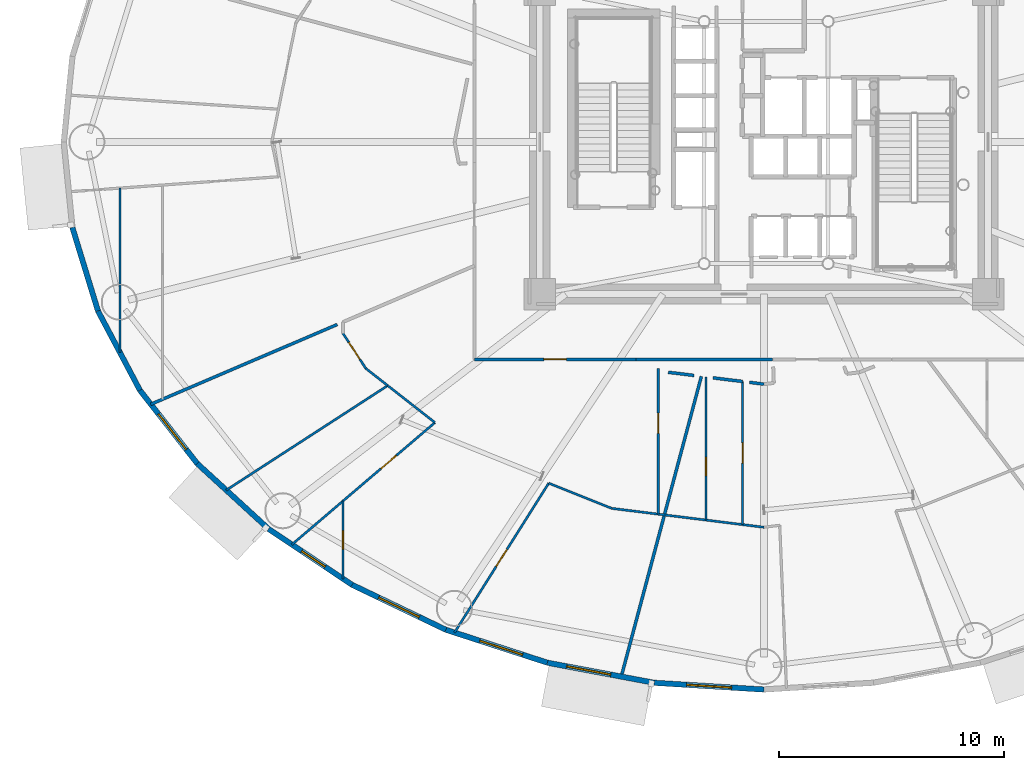
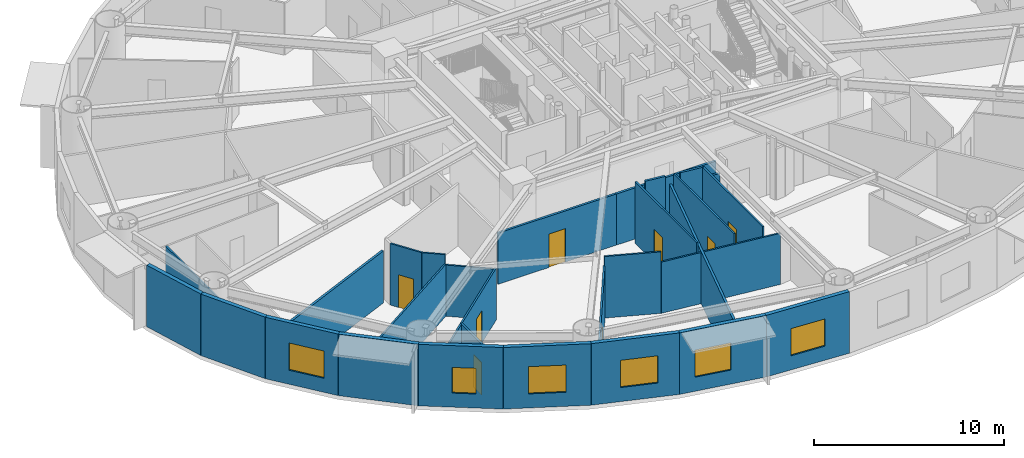
# One storey, part 10 of 24: 29 walls, 8 doors, 6 windows, 14 openings.
"""IFC4 building model written with IfcOpenShell, lengths in metres."""

from ifc_helpers import new_model, si_unit, direction, frame, frame_2d, origin, origin_2d, place, context, subcontext, project, spatial, rectangle, extrude, source, transform, mapped, material, layer, layer_set, type_object, element, fill, save


model = new_model("IFC4")

# Units and contexts
model_context = context("Model", 3, precision=1e-05, world=origin(), true_north=direction((0.0, 1.0)))
body_context = subcontext(model_context, "Body", "Model", "MODEL_VIEW")
ifc_project = project(units=[si_unit("LENGTHUNIT", "METRE"), si_unit("AREAUNIT", "SQUARE_METRE"), si_unit("VOLUMEUNIT", "CUBIC_METRE"), si_unit("PLANEANGLEUNIT", "RADIAN"), si_unit("MASSUNIT", "GRAM", prefix="KILO")], contexts=[model_context])

# Site, building, storey
site_placement = place(None, origin())
site = spatial("IfcSite", under=ifc_project, at=site_placement, CompositionType="ELEMENT")
building_placement = place(site_placement, origin())
building = spatial("IfcBuilding", under=site, at=building_placement, Name="Linh Dai School and Residence Tower", CompositionType="ELEMENT")
storey_placement = place(building_placement, frame((0.0, 0.0, 74.39990234375)))
storey = spatial("IfcBuildingStorey", under=building, at=storey_placement, Name="L17", CompositionType="ELEMENT", Elevation=74.39990234375)

# Walls
ifc_material_1 = material(Name="Precast Concrete B45 (C35/45)", Category="concrete")
ifc_layer_1 = layer(ifc_material_1, 0.239990234375)
ifc_layer_set_1 = layer_set([ifc_layer_1], Name="Precast Concrete B45 (C35/45)")
wall_type_1 = type_object("IfcWallType", Name="EW-TC-240", PredefinedType="SOLIDWALL", material=ifc_layer_set_1)
wall_1_placement = place(storey_placement, frame((6.4423828125, 19.49853515625, 0.0), z_axis=(0.0, 0.0, 1.0), x_axis=(-0.293111631758, 0.956078224482, 0.0)))
element("IfcWall", 1, at=wall_1_placement, inside=storey, type_object=wall_type_1, Name="L17 Terracotta Exterior Wall 22", PredefinedType="SOLIDWALL", context=body_context, shape_type="SweptSolid", body=[
    extrude(rectangle(XDim=3.874755859375, YDim=0.239990234375, at=frame_2d((1.9375, 0.0))), origin(), (0.0, 0.0, 1.0), 3.9501953125),
])
wall_2_placement = place(storey_placement, frame((8.305419921875, 15.977294921875, 0.0), z_axis=(0.0, 0.0, 1.0), x_axis=(-0.467662443071, 0.883907144072, 0.0)))
element("IfcWall", 2, at=wall_2_placement, inside=storey, type_object=wall_type_1, Name="L17 Terracotta Exterior Wall 23", PredefinedType="SOLIDWALL", context=body_context, shape_type="SweptSolid", body=[
    extrude(rectangle(XDim=3.983642578125, YDim=0.239990234375, at=frame_2d((1.99169921875, 0.0))), origin(), (0.0, 0.0, 1.0), 3.9501953125),
])

# Wall, opening, window
wall_3_placement = place(storey_placement, frame((10.850341796875, 12.725341796875, 0.0), z_axis=(0.0, 0.0, 1.0), x_axis=(-0.616295508253, 0.787514981767, 0.0)))
wall_3 = element("IfcWall", 3, at=wall_3_placement, inside=storey, type_object=wall_type_1, Name="L17 Terracotta Exterior Wall 24", PredefinedType="SOLIDWALL", context=body_context, shape_type="SweptSolid", body=[
    extrude(rectangle(XDim=4.12939453125, YDim=0.239990234375, at=frame_2d((2.064697265625, 0.0))), origin(), (0.0, 0.0, 1.0), 3.9501953125),
])
opening_1_placement = place(wall_3_placement, frame((0.794677734375, 0.0, 0.89990234375)))
opening_1 = element("IfcOpeningElement", 4, at=opening_1_placement, cuts=wall_3, Name="Opening W1", PredefinedType="OPENING", context=body_context, shape_type="SweptSolid", body=[
    extrude(rectangle(XDim=2.0, YDim=1.75, at=origin_2d()), frame((1.0, 0.1298828125, 0.875), z_axis=(0.0, -1.0, 0.0), x_axis=(1.0, 0.0, 0.0)), (0.0, 0.0, 1.0), 0.260009765625),
])
ifc_material_2 = material(Name="Double Low-E Insulated Glazing", Category="glass")
window_type_1 = type_object("IfcWindowType", Name="WN-RES-2000x1750", PartitioningType="DOUBLE_PANEL_VERTICAL", PredefinedType="WINDOW", material=ifc_material_2)
shared_shape_1 = source(origin(), body_context, "Body", "SweptSolid", [
    extrude(rectangle(XDim=2.0, YDim=1.75, at=origin_2d()), frame((1.0, 0.030029296875, 0.875), z_axis=(0.0, -1.0, 0.0), x_axis=(1.0, 0.0, 0.0)), (0.0, 0.0, 1.0), 0.06005859375),
])
window_1_placement = place(opening_1_placement, origin())
window_1 = element("IfcWindow", 5, at=window_1_placement, inside=storey, type_object=window_type_1, Name="L17 Exterior Window 24.1", OverallHeight=1.75, OverallWidth=2.0, PartitioningType="DOUBLE_PANEL_VERTICAL", PredefinedType="WINDOW", context=body_context, shape_type="MappedRepresentation", body=[
    mapped(shared_shape_1, transform((0.0, 0.0, 0.0), x_axis=(1.0, 0.0, 0.0), y_axis=(0.0, 1.0, 0.0), z_axis=(0.0, 0.0, 1.0), scale=1.0)),
])
fill(opening_1, window_1)

# Wall
wall_4_placement = place(storey_placement, frame((14.015380859375, 9.82373046875, 0.0), z_axis=(0.0, 0.0, 1.0), x_axis=(-0.737116376281, 0.67576582321, 0.0)))
element("IfcWall", 6, at=wall_4_placement, inside=storey, type_object=wall_type_1, Name="L17 Terracotta Exterior Wall 25", PredefinedType="SOLIDWALL", context=body_context, shape_type="SweptSolid", body=[
    extrude(rectangle(XDim=4.293701171875, YDim=0.239990234375, at=frame_2d((2.14697265625, 0.0))), origin(), (0.0, 0.0, 1.0), 3.9501953125),
])

# Wall, opening, window
wall_5_placement = place(storey_placement, frame((17.722900390625, 7.34423828125, 0.0), z_axis=(0.0, 0.0, 1.0), x_axis=(-0.831240982525, 0.555912249343, 0.0)))
wall_5 = element("IfcWall", 7, at=wall_5_placement, inside=storey, type_object=wall_type_1, Name="L17 Terracotta Exterior Wall 26", PredefinedType="SOLIDWALL", context=body_context, shape_type="SweptSolid", body=[
    extrude(rectangle(XDim=4.460205078125, YDim=0.239990234375, at=frame_2d((2.22998046875, 0.0))), origin(), (0.0, 0.0, 1.0), 3.9501953125),
])
opening_2_placement = place(wall_5_placement, frame((1.438720703125, 0.0, 0.89990234375)))
opening_2 = element("IfcOpeningElement", 8, at=opening_2_placement, cuts=wall_5, Name="Opening W3", PredefinedType="OPENING", context=body_context, shape_type="SweptSolid", body=[
    extrude(rectangle(XDim=1.25, YDim=1.64990234375, at=origin_2d()), frame((0.625, 0.1298828125, 0.824951171875), z_axis=(0.0, -1.0, 0.0), x_axis=(1.0, 0.0, 0.0)), (0.0, 0.0, 1.0), 0.260009765625),
])
window_type_2 = type_object("IfcWindowType", Name="WN-RES-1250x1650", PartitioningType="SINGLE_PANEL", PredefinedType="WINDOW", material=ifc_material_2)
shared_shape_2 = source(origin(), body_context, "Body", "SweptSolid", [
    extrude(rectangle(XDim=1.25, YDim=1.64990234375, at=origin_2d()), frame((0.625, 0.030029296875, 0.824951171875), z_axis=(0.0, -1.0, 0.0), x_axis=(1.0, 0.0, 0.0)), (0.0, 0.0, 1.0), 0.06005859375),
])
window_2_placement = place(opening_2_placement, origin())
window_2 = element("IfcWindow", 9, at=window_2_placement, inside=storey, type_object=window_type_2, Name="L17 Exterior Window 26.1", OverallHeight=1.64990234375, OverallWidth=1.25, PartitioningType="SINGLE_PANEL", PredefinedType="WINDOW", context=body_context, shape_type="MappedRepresentation", body=[
    mapped(shared_shape_2, transform((0.0, 0.0, 0.0), x_axis=(1.0, 0.0, 0.0), y_axis=(0.0, 1.0, 0.0), z_axis=(0.0, 0.0, 1.0), scale=1.0)),
])
fill(opening_2, window_2)

wall_6_placement = place(storey_placement, frame((21.8818359375, 5.348876953125, 0.0), z_axis=(0.0, 0.0, 1.0), x_axis=(-0.901601503137, 0.432567601123, 0.0)))
wall_6 = element("IfcWall", 10, at=wall_6_placement, inside=storey, type_object=wall_type_1, Name="L17 Terracotta Exterior Wall 27", PredefinedType="SOLIDWALL", context=body_context, shape_type="SweptSolid", body=[
    extrude(rectangle(XDim=4.61279296875, YDim=0.239990234375, at=frame_2d((2.306396484375, 0.0))), origin(), (0.0, 0.0, 1.0), 3.9501953125),
])
opening_3_placement = place(wall_6_placement, frame((1.306396484375, 0.0, 0.89990234375)))
opening_3 = element("IfcOpeningElement", 11, at=opening_3_placement, cuts=wall_6, Name="Opening W1", PredefinedType="OPENING", context=body_context, shape_type="SweptSolid", body=[
    extrude(rectangle(XDim=2.0, YDim=1.75, at=origin_2d()), frame((1.0, 0.1298828125, 0.875), z_axis=(0.0, -1.0, 0.0), x_axis=(1.0, 0.0, 0.0)), (0.0, 0.0, 1.0), 0.260009765625),
])
window_3_placement = place(opening_3_placement, origin())
window_3 = element("IfcWindow", 12, at=window_3_placement, inside=storey, type_object=window_type_1, Name="L17 Exterior Window 27.1", OverallHeight=1.75, OverallWidth=2.0, PartitioningType="DOUBLE_PANEL_VERTICAL", PredefinedType="WINDOW", context=body_context, shape_type="MappedRepresentation", body=[
    mapped(shared_shape_1, transform((0.0, 0.0, 0.0), x_axis=(1.0, 0.0, 0.0), y_axis=(0.0, 1.0, 0.0), z_axis=(0.0, 0.0, 1.0), scale=1.0)),
])
fill(opening_3, window_3)

wall_7_placement = place(storey_placement, frame((26.389404296875, 3.88671875, 0.0), z_axis=(0.0, 0.0, 1.0), x_axis=(-0.951207699013, 0.308551313946, 0.0)))
wall_7 = element("IfcWall", 13, at=wall_7_placement, inside=storey, type_object=wall_type_1, Name="L17 Terracotta Exterior Wall 28", PredefinedType="SOLIDWALL", context=body_context, shape_type="SweptSolid", body=[
    extrude(rectangle(XDim=4.73876953125, YDim=0.239990234375, at=frame_2d((2.369384765625, 0.0))), origin(), (0.0, 0.0, 1.0), 3.9501953125),
])
opening_4_placement = place(wall_7_placement, frame((1.154541015625, 0.0, 0.89990234375)))
opening_4 = element("IfcOpeningElement", 14, at=opening_4_placement, cuts=wall_7, Name="Opening W1", PredefinedType="OPENING", context=body_context, shape_type="SweptSolid", body=[
    extrude(rectangle(XDim=2.0, YDim=1.75, at=origin_2d()), frame((1.0, 0.1298828125, 0.875), z_axis=(0.0, -1.0, 0.0), x_axis=(1.0, 0.0, 0.0)), (0.0, 0.0, 1.0), 0.260009765625),
])
window_4_placement = place(opening_4_placement, origin())
window_4 = element("IfcWindow", 15, at=window_4_placement, inside=storey, type_object=window_type_1, Name="L17 Exterior Window 28.1", OverallHeight=1.75, OverallWidth=2.0, PartitioningType="DOUBLE_PANEL_VERTICAL", PredefinedType="WINDOW", context=body_context, shape_type="MappedRepresentation", body=[
    mapped(shared_shape_1, transform((0.0, 0.0, 0.0), x_axis=(1.0, 0.0, 0.0), y_axis=(0.0, 1.0, 0.0), z_axis=(0.0, 0.0, 1.0), scale=1.0)),
])
fill(opening_4, window_4)

wall_8_placement = place(storey_placement, frame((31.134521484375, 2.994873046875, 0.0), z_axis=(0.0, 0.0, 1.0), x_axis=(-0.982791952378, 0.184715939598, 0.0)))
wall_8 = element("IfcWall", 16, at=wall_8_placement, inside=storey, type_object=wall_type_1, Name="L17 Terracotta Exterior Wall 29", PredefinedType="SOLIDWALL", context=body_context, shape_type="SweptSolid", body=[
    extrude(rectangle(XDim=4.828125, YDim=0.239990234375, at=frame_2d((2.4140625, 0.0))), origin(), (0.0, 0.0, 1.0), 3.9501953125),
])
opening_5_placement = place(wall_8_placement, frame((1.960205078125, 0.0, 0.89990234375)))
opening_5 = element("IfcOpeningElement", 17, at=opening_5_placement, cuts=wall_8, Name="Opening W1", PredefinedType="OPENING", context=body_context, shape_type="SweptSolid", body=[
    extrude(rectangle(XDim=2.0, YDim=1.75, at=origin_2d()), frame((1.0, 0.1298828125, 0.875), z_axis=(0.0, -1.0, 0.0), x_axis=(1.0, 0.0, 0.0)), (0.0, 0.0, 1.0), 0.260009765625),
])
window_5_placement = place(opening_5_placement, origin())
window_5 = element("IfcWindow", 18, at=window_5_placement, inside=storey, type_object=window_type_1, Name="L17 Exterior Window 29.1", OverallHeight=1.75, OverallWidth=2.0, PartitioningType="DOUBLE_PANEL_VERTICAL", PredefinedType="WINDOW", context=body_context, shape_type="MappedRepresentation", body=[
    mapped(shared_shape_1, transform((0.0, 0.0, 0.0), x_axis=(1.0, 0.0, 0.0), y_axis=(0.0, 1.0, 0.0), z_axis=(0.0, 0.0, 1.0), scale=1.0)),
])
fill(opening_5, window_5)

wall_9_placement = place(storey_placement, frame((36.0, 2.695068359375, 0.0), z_axis=(0.0, 0.0, 1.0), x_axis=(-0.998106954071, 0.061502099433, 0.0)))
wall_9 = element("IfcWall", 19, at=wall_9_placement, inside=storey, type_object=wall_type_1, Name="L17 Terracotta Exterior Wall 30", PredefinedType="SOLIDWALL", context=body_context, shape_type="SweptSolid", body=[
    extrude(rectangle(XDim=4.874755859375, YDim=0.239990234375, at=frame_2d((2.4375, 0.0))), origin(), (0.0, 0.0, 1.0), 3.9501953125),
])
opening_6_placement = place(wall_9_placement, frame((1.437255859375, 0.0, 0.89990234375)))
opening_6 = element("IfcOpeningElement", 20, at=opening_6_placement, cuts=wall_9, Name="Opening W1", PredefinedType="OPENING", context=body_context, shape_type="SweptSolid", body=[
    extrude(rectangle(XDim=2.0, YDim=1.75, at=origin_2d()), frame((1.0, 0.1298828125, 0.875), z_axis=(0.0, -1.0, 0.0), x_axis=(1.0, 0.0, 0.0)), (0.0, 0.0, 1.0), 0.260009765625),
])
window_6_placement = place(opening_6_placement, origin())
window_6 = element("IfcWindow", 21, at=window_6_placement, inside=storey, type_object=window_type_1, Name="L17 Exterior Window 30.1", OverallHeight=1.75, OverallWidth=2.0, PartitioningType="DOUBLE_PANEL_VERTICAL", PredefinedType="WINDOW", context=body_context, shape_type="MappedRepresentation", body=[
    mapped(shared_shape_1, transform((0.0, 0.0, 0.0), x_axis=(1.0, 0.0, 0.0), y_axis=(0.0, 1.0, 0.0), z_axis=(0.0, 0.0, 1.0), scale=1.0)),
])
fill(opening_6, window_6)

# Wall
ifc_material_3 = material(Name="Autoclaved Aerated Concrete Blockwork", Category="masonry")
ifc_layer_2 = layer(ifc_material_3, 0.135009765625)
ifc_layer_set_2 = layer_set([ifc_layer_2], Name="Autoclaved Aerated Concrete Blockwork")
wall_type_2 = type_object("IfcWallType", Name="IW-CORR-135-EI90", PredefinedType="PARTITIONING", material=ifc_layer_set_2)
wall_10_placement = place(storey_placement, frame((8.785400390625, 15.355712890625, 0.0), z_axis=(0.0, 0.0, 1.0), x_axis=(0.919377695517, 0.393375968998, 0.0)))
element("IfcWall", 22, at=wall_10_placement, inside=storey, type_object=wall_type_2, Name="L17 Interior Partition Wall 006", PredefinedType="PARTITIONING", context=body_context, shape_type="SweptSolid", body=[
    extrude(rectangle(XDim=9.00341796875, YDim=0.135009765625, at=frame_2d((4.501708984375, 0.0))), origin(), (0.0, 0.0, 1.0), 3.335205078125),
])

# Wall, opening, door
wall_11_placement = place(storey_placement, frame((23.14990234375, 17.35009765625, 0.0), z_axis=(0.0, 0.0, 1.0), x_axis=(1.0, 0.0, 0.0)))
wall_11 = element("IfcWall", 23, at=wall_11_placement, inside=storey, type_object=wall_type_2, Name="L17 Interior Partition Wall 023", PredefinedType="PARTITIONING", context=body_context, shape_type="SweptSolid", body=[
    extrude(rectangle(XDim=7.17138671875, YDim=0.135009765625, at=frame_2d((3.585693359375, 0.0))), origin(), (0.0, 0.0, 1.0), 3.28515625),
])
opening_7_placement = place(wall_11_placement, frame((3.085693359375, 0.0, 0.0)))
opening_7 = element("IfcOpeningElement", 24, at=opening_7_placement, cuts=wall_11, Name="Opening D03", PredefinedType="OPENING", context=body_context, shape_type="SweptSolid", body=[
    extrude(rectangle(XDim=1.0, YDim=2.14990234375, at=origin_2d()), frame((0.5, 0.07763671875, 1.074951171875), z_axis=(0.0, -1.0, 0.0), x_axis=(1.0, 0.0, 0.0)), (0.0, 0.0, 1.0), 0.155029296875),
])
ifc_material_4 = material(Name="Fire-Rated Solid Timber Entrance Door", Category="wood")
door_type_1 = type_object("IfcDoorType", Name="DR-FLAT-1000x2150-FD60S", OperationType="NOTDEFINED", PredefinedType="DOOR", material=ifc_material_4)
shared_shape_3 = source(origin(), body_context, "Body", "SweptSolid", [
    extrude(rectangle(XDim=1.0, YDim=2.14990234375, at=origin_2d()), frame((0.5, 0.02490234375, 1.074951171875), z_axis=(0.0, -1.0, 0.0), x_axis=(1.0, 0.0, 0.0)), (0.0, 0.0, 1.0), 0.050048828125),
])
door_1_placement = place(opening_7_placement, origin())
door_1 = element("IfcDoor", 25, at=door_1_placement, inside=storey, type_object=door_type_1, Name="L17 U1704 Apartment Entrance Door", OperationType="SINGLE_SWING_RIGHT", OverallHeight=2.14990234375, OverallWidth=1.0, PredefinedType="DOOR", context=body_context, shape_type="MappedRepresentation", body=[
    mapped(shared_shape_3, transform((0.0, 0.0, 0.0), x_axis=(1.0, 0.0, 0.0), y_axis=(0.0, 1.0, 0.0), z_axis=(0.0, 0.0, 1.0), scale=1.0)),
])
fill(opening_7, door_1)

# Walls
wall_12_placement = place(storey_placement, frame((29.66943359375, 3.26513671875, 0.0), z_axis=(0.0, 0.0, 1.0), x_axis=(0.257716621334, 0.96622054578, 0.0)))
element("IfcWall", 26, at=wall_12_placement, inside=storey, type_object=wall_type_2, Name="L17 Interior Partition Wall 033", PredefinedType="PARTITIONING", context=body_context, shape_type="SweptSolid", body=[
    extrude(rectangle(XDim=13.7958984375, YDim=0.135009765625, at=frame_2d((6.89794921875, 0.0))), origin(), (0.0, 0.0, 1.0), 3.335205078125),
])
wall_13_placement = place(storey_placement, frame((36.388671875, 17.35009765625, 0.0), z_axis=(0.0, 0.0, 1.0), x_axis=(-1.0, 0.0, 0.0)))
element("IfcWall", 27, at=wall_13_placement, inside=storey, type_object=wall_type_2, Name="L17 Interior Partition Wall 125", PredefinedType="PARTITIONING", context=body_context, shape_type="SweptSolid", body=[
    extrude(rectangle(XDim=6.057373046875, YDim=0.135009765625, at=frame_2d((3.02880859375, 0.0))), origin(), (0.0, 0.0, 1.0), 3.28515625),
])
wall_14_placement = place(storey_placement, frame((31.7578125, 16.77685546875, 0.0), z_axis=(0.0, 0.0, 1.0), x_axis=(0.992411483091, -0.122961165536, 0.0)))
element("IfcWall", 28, at=wall_14_placement, inside=storey, type_object=wall_type_2, Name="L17 Interior Partition Wall 144", PredefinedType="PARTITIONING", context=body_context, shape_type="SweptSolid", body=[
    extrude(rectangle(XDim=1.147705078125, YDim=0.135009765625, at=frame_2d((0.57373046875, 0.0))), origin(), (0.0, 0.0, 1.0), 3.9501953125),
])
wall_15_placement = place(storey_placement, frame((35.366455078125, 16.329345703125, 0.0), z_axis=(0.0, 0.0, 1.0), x_axis=(0.992389259093, -0.123140401321, 0.0)))
element("IfcWall", 29, at=wall_15_placement, inside=storey, type_object=wall_type_2, Name="L17 Interior Partition Wall 145", PredefinedType="PARTITIONING", context=body_context, shape_type="SweptSolid", body=[
    extrude(rectangle(XDim=0.638427734375, YDim=0.135009765625, at=frame_2d((0.3193359375, 0.0))), origin(), (0.0, 0.0, 1.0), 3.28515625),
])
wall_16_placement = place(storey_placement, frame((33.741455078125, 16.531005859375, 0.0), z_axis=(0.0, 0.0, 1.0), x_axis=(0.99239647656, -0.123082221749, 0.0)))
element("IfcWall", 30, at=wall_16_placement, inside=storey, type_object=wall_type_2, Name="L17 Interior Partition Wall 151", PredefinedType="PARTITIONING", context=body_context, shape_type="SweptSolid", body=[
    extrude(rectangle(XDim=1.324951171875, YDim=0.135009765625, at=frame_2d((0.66259765625, 0.0))), origin(), (0.0, 0.0, 1.0), 3.9501953125),
])
ifc_material_5 = material(Name="Gypsum Plasterboard Acoustic Stud Partition", Category="masonry")
ifc_layer_3 = layer(ifc_material_5, 0.10009765625)
ifc_layer_set_3 = layer_set([ifc_layer_3], Name="Gypsum Plasterboard Acoustic Stud Partition")
wall_type_3 = type_object("IfcWallType", Name="IW-UNIT-100", PredefinedType="PARTITIONING", material=ifc_layer_set_3)
wall_17_placement = place(storey_placement, frame((7.416748046875, 17.646240234375, 0.0), z_axis=(0.0, 0.0, 1.0), x_axis=(0.0, 1.0, 0.0)))
element("IfcWall", 31, at=wall_17_placement, inside=storey, type_object=wall_type_3, Name="L17 Interior Partition Wall 004", PredefinedType="PARTITIONING", context=body_context, shape_type="SweptSolid", body=[
    extrude(rectangle(XDim=7.3056640625, YDim=0.10009765625, at=frame_2d((3.65283203125, 0.0))), origin(), (0.0, 0.0, 1.0), 3.335205078125),
])
wall_18_placement = place(storey_placement, frame((12.13330078125, 11.54248046875, 0.0), z_axis=(0.0, 0.0, 1.0), x_axis=(0.839345439493, 0.5435984117, 0.0)))
element("IfcWall", 32, at=wall_18_placement, inside=storey, type_object=wall_type_3, Name="L17 Interior Partition Wall 009", PredefinedType="PARTITIONING", context=body_context, shape_type="SweptSolid", body=[
    extrude(rectangle(XDim=8.543212890625, YDim=0.10009765625, at=frame_2d((4.271484375, 0.0))), origin(), (0.0, 0.0, 1.0), 3.335205078125),
])

# Wall, opening, door
wall_19_placement = place(storey_placement, frame((15.0478515625, 9.12744140625, 0.0), z_axis=(0.0, 0.0, 1.0), x_axis=(0.760804650013, 0.648980958517, 0.0)))
wall_19 = element("IfcWall", 33, at=wall_19_placement, inside=storey, type_object=wall_type_3, Name="L17 Interior Partition Wall 012", PredefinedType="PARTITIONING", context=body_context, shape_type="SweptSolid", body=[
    extrude(rectangle(XDim=8.348876953125, YDim=0.10009765625, at=frame_2d((4.17431640625, 0.0))), origin(), (0.0, 0.0, 1.0), 3.335205078125),
])
opening_8_placement = place(wall_19_placement, frame((5.197265625, 0.0, 0.0)))
opening_8 = element("IfcOpeningElement", 34, at=opening_8_placement, cuts=wall_19, Name="Opening D05", PredefinedType="OPENING", context=body_context, shape_type="SweptSolid", body=[
    extrude(rectangle(XDim=0.89990234375, YDim=2.10009765625, at=origin_2d()), frame((0.449951171875, 0.06005859375, 1.050048828125), z_axis=(0.0, -1.0, 0.0), x_axis=(1.0, 0.0, 0.0)), (0.0, 0.0, 1.0), 0.1201171875),
])
ifc_material_6 = material(Name="Engineered Timber Internal Door", Category="wood")
door_type_2 = type_object("IfcDoorType", Name="DR-INT-900x2100", OperationType="NOTDEFINED", PredefinedType="DOOR", material=ifc_material_6)
shared_shape_4 = source(origin(), body_context, "Body", "SweptSolid", [
    extrude(rectangle(XDim=0.89990234375, YDim=2.10009765625, at=origin_2d()), frame((0.449951171875, 0.02490234375, 1.050048828125), z_axis=(0.0, -1.0, 0.0), x_axis=(1.0, 0.0, 0.0)), (0.0, 0.0, 1.0), 0.050048828125),
])
door_2_placement = place(opening_8_placement, origin())
door_2 = element("IfcDoor", 35, at=door_2_placement, inside=storey, type_object=door_type_2, Name="L17 Apartment U1704 Study Door", OperationType="SINGLE_SWING_RIGHT", OverallHeight=2.10009765625, OverallWidth=0.89990234375, PredefinedType="DOOR", context=body_context, shape_type="MappedRepresentation", body=[
    mapped(shared_shape_4, transform((0.0, 0.0, 0.0), x_axis=(1.0, 0.0, 0.0), y_axis=(0.0, 1.0, 0.0), z_axis=(0.0, 0.0, 1.0), scale=1.0)),
])
fill(opening_8, door_2)

wall_20_placement = place(storey_placement, frame((17.3193359375, 7.6083984375, 0.0), z_axis=(0.0, 0.0, 1.0), x_axis=(0.0, 1.0, 0.0)))
wall_20 = element("IfcWall", 36, at=wall_20_placement, inside=storey, type_object=wall_type_3, Name="L17 Interior Partition Wall 014", PredefinedType="PARTITIONING", context=body_context, shape_type="SweptSolid", body=[
    extrude(rectangle(XDim=3.45654296875, YDim=0.10009765625, at=frame_2d((1.728271484375, 0.0))), origin(), (0.0, 0.0, 1.0), 3.335205078125),
])
opening_9_placement = place(wall_20_placement, frame((1.318359375, 0.0, 0.0)))
opening_9 = element("IfcOpeningElement", 37, at=opening_9_placement, cuts=wall_20, Name="Opening D06", PredefinedType="OPENING", context=body_context, shape_type="SweptSolid", body=[
    extrude(rectangle(XDim=0.820068359375, YDim=2.10009765625, at=origin_2d()), frame((0.41015625, 0.06005859375, 1.050048828125), z_axis=(0.0, -1.0, 0.0), x_axis=(1.0, 0.0, 0.0)), (0.0, 0.0, 1.0), 0.1201171875),
])
ifc_material_7 = material(Name="Moisture-Resistant Timber Bathroom Door", Category="wood")
door_type_3 = type_object("IfcDoorType", Name="DR-WET-820x2100", OperationType="NOTDEFINED", PredefinedType="DOOR", material=ifc_material_7)
shared_shape_5 = source(origin(), body_context, "Body", "SweptSolid", [
    extrude(rectangle(XDim=0.820068359375, YDim=2.10009765625, at=origin_2d()), frame((0.41015625, 0.02490234375, 1.050048828125), z_axis=(0.0, -1.0, 0.0), x_axis=(1.0, 0.0, 0.0)), (0.0, 0.0, 1.0), 0.050048828125),
])
door_3_placement = place(opening_9_placement, origin())
door_3 = element("IfcDoor", 38, at=door_3_placement, inside=storey, type_object=door_type_3, Name="L17 Apartment U1704 Bathroom 1 Door", OperationType="SINGLE_SWING_RIGHT", OverallHeight=2.10009765625, OverallWidth=0.820068359375, PredefinedType="DOOR", context=body_context, shape_type="MappedRepresentation", body=[
    mapped(shared_shape_5, transform((0.0, 0.0, 0.0), x_axis=(1.0, 0.0, 0.0), y_axis=(0.0, 1.0, 0.0), z_axis=(0.0, 0.0, 1.0), scale=1.0)),
])
fill(opening_9, door_3)

wall_21_placement = place(storey_placement, frame((17.3193359375, 18.503173828125, 0.0), z_axis=(0.0, 0.0, 1.0), x_axis=(0.54537223853, -0.838193964092, 0.0)))
wall_21 = element("IfcWall", 39, at=wall_21_placement, inside=storey, type_object=wall_type_3, Name="L17 Interior Partition Wall 015", PredefinedType="PARTITIONING", context=body_context, shape_type="SweptSolid", body=[
    extrude(rectangle(XDim=1.85498046875, YDim=0.10009765625, at=frame_2d((0.927490234375, 0.0))), origin(), (0.0, 0.0, 1.0), 3.9501953125),
])
opening_10_placement = place(wall_21_placement, frame((0.4775390625, 0.0, 0.0)))
opening_10 = element("IfcOpeningElement", 40, at=opening_10_placement, cuts=wall_21, Name="Opening D05", PredefinedType="OPENING", context=body_context, shape_type="SweptSolid", body=[
    extrude(rectangle(XDim=0.89990234375, YDim=2.10009765625, at=origin_2d()), frame((0.449951171875, 0.06005859375, 1.050048828125), z_axis=(0.0, -1.0, 0.0), x_axis=(1.0, 0.0, 0.0)), (0.0, 0.0, 1.0), 0.1201171875),
])
door_4_placement = place(opening_10_placement, origin())
door_4 = element("IfcDoor", 41, at=door_4_placement, inside=storey, type_object=door_type_2, Name="L17 Apartment U1704 Principal Bedroom 1 Door", OperationType="SINGLE_SWING_LEFT", OverallHeight=2.10009765625, OverallWidth=0.89990234375, PredefinedType="DOOR", context=body_context, shape_type="MappedRepresentation", body=[
    mapped(shared_shape_4, transform((0.0, 0.0, 0.0), x_axis=(1.0, 0.0, 0.0), y_axis=(0.0, 1.0, 0.0), z_axis=(0.0, 0.0, 1.0), scale=1.0)),
])
fill(opening_10, door_4)

# Walls
wall_22_placement = place(storey_placement, frame((18.3310546875, 16.9482421875, 0.0), z_axis=(0.0, 0.0, 1.0), x_axis=(0.787379901086, -0.61646807814, 0.0)))
element("IfcWall", 42, at=wall_22_placement, inside=storey, type_object=wall_type_3, Name="L17 Interior Partition Wall 017", PredefinedType="PARTITIONING", context=body_context, shape_type="SweptSolid", body=[
    extrude(rectangle(XDim=1.235595703125, YDim=0.10009765625, at=frame_2d((0.61767578125, 0.0))), origin(), (0.0, 0.0, 1.0), 3.9501953125),
])
wall_23_placement = place(storey_placement, frame((19.311767578125, 16.180419921875, 0.0), z_axis=(0.0, 0.0, 1.0), x_axis=(0.787365097885, -0.616486984967, 0.0)))
element("IfcWall", 43, at=wall_23_placement, inside=storey, type_object=wall_type_3, Name="L17 Interior Partition Wall 020", PredefinedType="PARTITIONING", context=body_context, shape_type="SweptSolid", body=[
    extrude(rectangle(XDim=2.65185546875, YDim=0.10009765625, at=frame_2d((1.325927734375, 0.0))), origin(), (0.0, 0.0, 1.0), 3.28515625),
])

# Wall, opening, door
wall_24_placement = place(storey_placement, frame((22.265380859375, 5.21923828125, 0.0), z_axis=(0.0, 0.0, 1.0), x_axis=(0.53341083449, 0.845856300827, 0.0)))
wall_24 = element("IfcWall", 44, at=wall_24_placement, inside=storey, type_object=wall_type_3, Name="L17 Interior Partition Wall 021", PredefinedType="PARTITIONING", context=body_context, shape_type="SweptSolid", body=[
    extrude(rectangle(XDim=7.843505859375, YDim=0.10009765625, at=frame_2d((3.921875, 0.0))), origin(), (0.0, 0.0, 1.0), 3.335205078125),
])
opening_11_placement = place(wall_24_placement, frame((3.4716796875, 0.0, 0.0)))
opening_11 = element("IfcOpeningElement", 45, at=opening_11_placement, cuts=wall_24, Name="Opening D05", PredefinedType="OPENING", context=body_context, shape_type="SweptSolid", body=[
    extrude(rectangle(XDim=0.89990234375, YDim=2.10009765625, at=origin_2d()), frame((0.449951171875, 0.06005859375, 1.050048828125), z_axis=(0.0, -1.0, 0.0), x_axis=(1.0, 0.0, 0.0)), (0.0, 0.0, 1.0), 0.1201171875),
])
door_5_placement = place(opening_11_placement, origin())
door_5 = element("IfcDoor", 46, at=door_5_placement, inside=storey, type_object=door_type_2, Name="L17 Apartment U1704 Principal Bedroom 2 Door", OperationType="SINGLE_SWING_LEFT", OverallHeight=2.10009765625, OverallWidth=0.89990234375, PredefinedType="DOOR", context=body_context, shape_type="MappedRepresentation", body=[
    mapped(shared_shape_4, transform((0.0, 0.0, 0.0), x_axis=(1.0, 0.0, 0.0), y_axis=(0.0, 1.0, 0.0), z_axis=(0.0, 0.0, 1.0), scale=1.0)),
])
fill(opening_11, door_5)

# Walls
wall_25_placement = place(storey_placement, frame((26.44921875, 11.853759765625, 0.0), z_axis=(0.0, 0.0, 1.0), x_axis=(0.928822359266, -0.370525336417, 0.0)))
element("IfcWall", 47, at=wall_25_placement, inside=storey, type_object=wall_type_3, Name="L17 Interior Partition Wall 028", PredefinedType="PARTITIONING", context=body_context, shape_type="SweptSolid", body=[
    extrude(rectangle(XDim=3.016357421875, YDim=0.10009765625, at=frame_2d((1.50830078125, 0.0))), origin(), (0.0, 0.0, 1.0), 3.9501953125),
])
wall_26_placement = place(storey_placement, frame((29.2509765625, 10.736083984375, 0.0), z_axis=(0.0, 0.0, 1.0), x_axis=(0.992394520877, -0.123097989151, 0.0)))
element("IfcWall", 48, at=wall_26_placement, inside=storey, type_object=wall_type_3, Name="L17 Interior Partition Wall 031", PredefinedType="PARTITIONING", context=body_context, shape_type="SweptSolid", body=[
    extrude(rectangle(XDim=6.80078125, YDim=0.10009765625, at=frame_2d((3.400390625, 0.0))), origin(), (0.0, 0.0, 1.0), 3.28515625),
])

# Wall, opening, door
wall_27_placement = place(storey_placement, frame((31.316162109375, 10.47998046875, 0.0), z_axis=(0.0, 0.0, 1.0), x_axis=(0.0, 1.0, 0.0)))
wall_27 = element("IfcWall", 49, at=wall_27_placement, inside=storey, type_object=wall_type_3, Name="L17 Interior Partition Wall 035", PredefinedType="PARTITIONING", context=body_context, shape_type="SweptSolid", body=[
    extrude(rectangle(XDim=6.47314453125, YDim=0.10009765625, at=frame_2d((3.236572265625, 0.0))), origin(), (0.0, 0.0, 1.0), 3.9501953125),
])
opening_12_placement = place(wall_27_placement, frame((3.586669921875, 0.0, 0.0)))
opening_12 = element("IfcOpeningElement", 50, at=opening_12_placement, cuts=wall_27, Name="Opening D05", PredefinedType="OPENING", context=body_context, shape_type="SweptSolid", body=[
    extrude(rectangle(XDim=0.89990234375, YDim=2.10009765625, at=origin_2d()), frame((0.449951171875, 0.06005859375, 1.050048828125), z_axis=(0.0, -1.0, 0.0), x_axis=(1.0, 0.0, 0.0)), (0.0, 0.0, 1.0), 0.1201171875),
])
door_6_placement = place(opening_12_placement, origin())
door_6 = element("IfcDoor", 51, at=door_6_placement, inside=storey, type_object=door_type_2, Name="L17 Apartment U1704 Kitchen Door", OperationType="SINGLE_SWING_LEFT", OverallHeight=2.10009765625, OverallWidth=0.89990234375, PredefinedType="DOOR", context=body_context, shape_type="MappedRepresentation", body=[
    mapped(shared_shape_4, transform((0.0, 0.0, 0.0), x_axis=(1.0, 0.0, 0.0), y_axis=(0.0, 1.0, 0.0), z_axis=(0.0, 0.0, 1.0), scale=1.0)),
])
fill(opening_12, door_6)

wall_28_placement = place(storey_placement, frame((33.431396484375, 10.217529296875, 0.0), z_axis=(0.0, 0.0, 1.0), x_axis=(0.0, 1.0, 0.0)))
wall_28 = element("IfcWall", 52, at=wall_28_placement, inside=storey, type_object=wall_type_3, Name="L17 Interior Partition Wall 043", PredefinedType="PARTITIONING", context=body_context, shape_type="SweptSolid", body=[
    extrude(rectangle(XDim=6.351806640625, YDim=0.10009765625, at=frame_2d((3.17578125, 0.0))), origin(), (0.0, 0.0, 1.0), 3.9501953125),
])
opening_13_placement = place(wall_28_placement, frame((1.97216796875, 0.0, 0.0)))
opening_13 = element("IfcOpeningElement", 53, at=opening_13_placement, cuts=wall_28, Name="Opening D06", PredefinedType="OPENING", context=body_context, shape_type="SweptSolid", body=[
    extrude(rectangle(XDim=0.820068359375, YDim=2.10009765625, at=origin_2d()), frame((0.41015625, 0.06005859375, 1.050048828125), z_axis=(0.0, -1.0, 0.0), x_axis=(1.0, 0.0, 0.0)), (0.0, 0.0, 1.0), 0.1201171875),
])
door_7_placement = place(opening_13_placement, origin())
door_7 = element("IfcDoor", 54, at=door_7_placement, inside=storey, type_object=door_type_3, Name="L17 Apartment U1705 Bathroom 1 Door", OperationType="SINGLE_SWING_RIGHT", OverallHeight=2.10009765625, OverallWidth=0.820068359375, PredefinedType="DOOR", context=body_context, shape_type="MappedRepresentation", body=[
    mapped(shared_shape_5, transform((0.0, 0.0, 0.0), x_axis=(1.0, 0.0, 0.0), y_axis=(0.0, 1.0, 0.0), z_axis=(0.0, 0.0, 1.0), scale=1.0)),
])
fill(opening_13, door_7)

wall_29_placement = place(storey_placement, frame((35.056396484375, 10.01611328125, 0.0), z_axis=(0.0, 0.0, 1.0), x_axis=(0.0, 1.0, 0.0)))
wall_29 = element("IfcWall", 55, at=wall_29_placement, inside=storey, type_object=wall_type_3, Name="L17 Interior Partition Wall 053", PredefinedType="PARTITIONING", context=body_context, shape_type="SweptSolid", body=[
    extrude(rectangle(XDim=6.351806640625, YDim=0.10009765625, at=frame_2d((3.17578125, 0.0))), origin(), (0.0, 0.0, 1.0), 3.9501953125),
])
opening_14_placement = place(wall_29_placement, frame((2.725830078125, 0.0, 0.0)))
opening_14 = element("IfcOpeningElement", 56, at=opening_14_placement, cuts=wall_29, Name="Opening D05", PredefinedType="OPENING", context=body_context, shape_type="SweptSolid", body=[
    extrude(rectangle(XDim=0.89990234375, YDim=2.10009765625, at=origin_2d()), frame((0.449951171875, 0.06005859375, 1.050048828125), z_axis=(0.0, -1.0, 0.0), x_axis=(1.0, 0.0, 0.0)), (0.0, 0.0, 1.0), 0.1201171875),
])
door_8_placement = place(opening_14_placement, origin())
door_8 = element("IfcDoor", 57, at=door_8_placement, inside=storey, type_object=door_type_2, Name="L17 Apartment U1705 Kitchen Door", OperationType="SINGLE_SWING_LEFT", OverallHeight=2.10009765625, OverallWidth=0.89990234375, PredefinedType="DOOR", context=body_context, shape_type="MappedRepresentation", body=[
    mapped(shared_shape_4, transform((0.0, 0.0, 0.0), x_axis=(1.0, 0.0, 0.0), y_axis=(0.0, 1.0, 0.0), z_axis=(0.0, 0.0, 1.0), scale=1.0)),
])
fill(opening_14, door_8)

save(model, "model.ifc")
